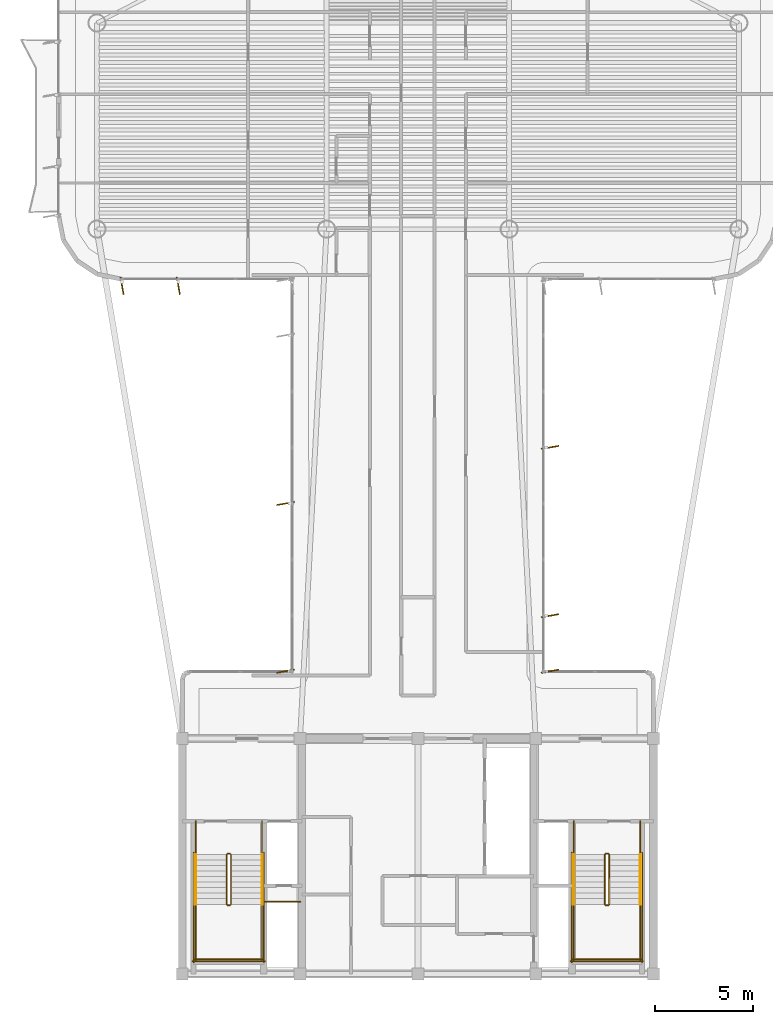
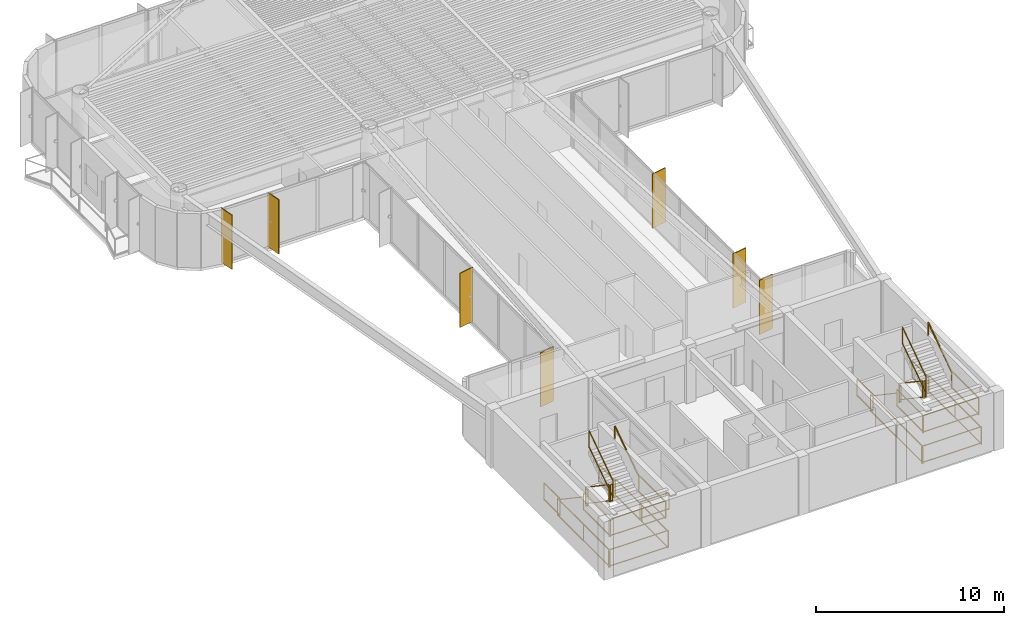
# One storey, part 14 of 15: 29 railings, 7 shading devices.
"""IFC4 building model written with IfcOpenShell, lengths in metres."""

from ifc_helpers import new_model, si_unit, direction, frame, origin, origin_2d, place, context, subcontext, project, spatial, rectangle, extrude, source, transform, mapped, material, layer, layer_set, material_profile, profile_set, type_object, element, save


model = new_model("IFC4")

# Units and contexts
model_context = context("Model", 3, precision=1e-05, world=origin(), true_north=direction((0.0, 1.0)))
body_context = subcontext(model_context, "Body", "Model", "MODEL_VIEW")
ifc_project = project(units=[si_unit("LENGTHUNIT", "METRE"), si_unit("AREAUNIT", "SQUARE_METRE"), si_unit("VOLUMEUNIT", "CUBIC_METRE"), si_unit("PLANEANGLEUNIT", "RADIAN"), si_unit("MASSUNIT", "GRAM", prefix="KILO")], contexts=[model_context])

# Site, building, storey
site_placement = place(None, origin())
site = spatial("IfcSite", under=ifc_project, at=site_placement, CompositionType="ELEMENT")
building_placement = place(site_placement, origin())
building = spatial("IfcBuilding", under=site, at=building_placement, Name="Brelvock Crest Care Tower", CompositionType="ELEMENT")
storey_placement = place(building_placement, frame((0.0, 0.0, 260.820068359375)))
storey = spatial("IfcBuildingStorey", under=building, at=storey_placement, Name="L66", CompositionType="ELEMENT", Elevation=260.820068359375)

# Railings
ifc_material_1 = material(Name="Steel Grade 350", Category="steel")
ifc_layer_1 = layer(ifc_material_1, 0.050048828125, Name="RL-STG1")
ifc_layer_set_1 = layer_set([ifc_layer_1], Name="Steel Grade 350")
railing_type_1 = type_object("IfcRailingType", Name="RL-STG1", PredefinedType="GUARDRAIL", material=ifc_layer_set_1)
railing_1_placement = place(storey_placement, frame((26.260009765625, 12.080078125, 0.18896484375)))
element("IfcRailing", 1, at=railing_1_placement, inside=storey, type_object=railing_type_1, Name="L66 ST-1 stair guard 1", PredefinedType="GUARDRAIL", context=body_context, shape_type="SweptSolid", body=[
    extrude(rectangle(XDim=0.048095703125, YDim=0.048095703125, at=origin_2d()), frame((0.0, -0.001708984375, 1.116943359375), z_axis=(0.0, -0.828861706735, 0.559453546873), x_axis=(1.0, 0.0, 0.0)), (0.0, 0.0, 1.0), 3.036376953125),
    extrude(rectangle(XDim=0.048095703125, YDim=0.048095703125, at=origin_2d()), frame((0.0, -0.001708984375, 0.05615234375), z_axis=(0.0, -0.828861706735, 0.559453546873), x_axis=(1.0, 0.0, 0.0)), (0.0, 0.0, 1.0), 3.036376953125),
    extrude(rectangle(XDim=0.0419921875, YDim=0.0419921875, at=origin_2d()), origin(), (0.0, 0.0, 1.0), 1.08984375),
    extrude(rectangle(XDim=0.0419921875, YDim=0.0419921875, at=origin_2d()), frame((0.0, -2.52001953125, 1.700927734375)), (0.0, 0.0, 1.0), 1.08984375),
])
railing_2_placement = place(storey_placement, frame((26.31005859375, 9.510009765625, 1.889892578125)))
element("IfcRailing", 2, at=railing_2_placement, inside=storey, type_object=railing_type_1, Name="L66 ST-1 stair guard 2", PredefinedType="GUARDRAIL", context=body_context, shape_type="SweptSolid", body=[
    extrude(rectangle(XDim=0.048095703125, YDim=0.048095703125, at=origin_2d()), frame((0.001953125, 0.0, 1.11572265625), z_axis=(1.0, 0.0, 0.0), x_axis=(0.0, 1.0, 0.0)), (0.0, 0.0, 1.0), 0.115966796875),
    extrude(rectangle(XDim=0.048095703125, YDim=0.048095703125, at=origin_2d()), frame((0.001953125, 0.0, 0.054931640625), z_axis=(1.0, 0.0, 0.0), x_axis=(0.0, 1.0, 0.0)), (0.0, 0.0, 1.0), 0.115966796875),
    extrude(rectangle(XDim=0.0419921875, YDim=0.0419921875, at=origin_2d()), origin(), (0.0, 0.0, 1.0), 1.08984375),
    extrude(rectangle(XDim=0.0419921875, YDim=0.0419921875, at=origin_2d()), frame((0.119873046875, 0.0, 0.0)), (0.0, 0.0, 1.0), 1.08984375),
])
for number, where, name in (
    (3, (24.679931640625, 9.56005859375, 1.889892578125), "L66 ST-1 stair guard 3"),
    (4, (28.06005859375, 9.56005859375, 1.889892578125), "L66 ST-1 stair guard 4"),
):
    element("IfcRailing", number, at=place(storey_placement, frame(where)), inside=storey, type_object=railing_type_1, Name=name, PredefinedType="GUARDRAIL", context=body_context, shape_type="SweptSolid", body=[
        extrude(rectangle(XDim=0.048095703125, YDim=0.048095703125, at=origin_2d()), frame((0.0, -0.001953125, 1.11572265625), z_axis=(0.0, -1.0, 0.0), x_axis=(1.0, 0.0, 0.0)), (0.0, 0.0, 1.0), 2.856201171875),
        extrude(rectangle(XDim=0.048095703125, YDim=0.048095703125, at=origin_2d()), frame((0.0, -0.001953125, 0.054931640625), z_axis=(0.0, -1.0, 0.0), x_axis=(1.0, 0.0, 0.0)), (0.0, 0.0, 1.0), 2.856201171875),
        extrude(rectangle(XDim=0.0419921875, YDim=0.0419921875, at=origin_2d()), origin(), (0.0, 0.0, 1.0), 1.08984375),
        extrude(rectangle(XDim=0.0419921875, YDim=0.0419921875, at=origin_2d()), frame((0.0, -2.860107421875, 0.0)), (0.0, 0.0, 1.0), 1.08984375),
    ])
railing_3_placement = place(storey_placement, frame((24.6298828125, 6.75, 1.889892578125)))
element("IfcRailing", 5, at=railing_3_placement, inside=storey, type_object=railing_type_1, Name="L66 ST-1 stair guard 5", PredefinedType="GUARDRAIL", context=body_context, shape_type="SweptSolid", body=[
    extrude(rectangle(XDim=0.048095703125, YDim=0.048095703125, at=origin_2d()), frame((0.001953125, 0.0, 1.11572265625), z_axis=(1.0, 0.0, 0.0), x_axis=(0.0, 1.0, 0.0)), (0.0, 0.0, 1.0), 3.476318359375),
    extrude(rectangle(XDim=0.048095703125, YDim=0.048095703125, at=origin_2d()), frame((0.001953125, 0.0, 0.054931640625), z_axis=(1.0, 0.0, 0.0), x_axis=(0.0, 1.0, 0.0)), (0.0, 0.0, 1.0), 3.476318359375),
    extrude(rectangle(XDim=0.0419921875, YDim=0.0419921875, at=origin_2d()), origin(), (0.0, 0.0, 1.0), 1.08984375),
    extrude(rectangle(XDim=0.0419921875, YDim=0.0419921875, at=origin_2d()), frame((3.480224609375, 0.0, 0.0)), (0.0, 0.0, 1.0), 1.08984375),
])
railing_4_placement = place(storey_placement, frame((26.47998046875, 9.56005859375, 2.078857421875)))
element("IfcRailing", 6, at=railing_4_placement, inside=storey, type_object=railing_type_1, Name="L66 ST-1 stair guard 6", PredefinedType="GUARDRAIL", context=body_context, shape_type="SweptSolid", body=[
    extrude(rectangle(XDim=0.048095703125, YDim=0.048095703125, at=origin_2d()), frame((0.0, 0.001708984375, 1.116943359375), z_axis=(0.0, 0.82882447046, 0.559508710537), x_axis=(-1.0, 0.0, 0.0)), (0.0, 0.0, 1.0), 3.036376953125),
    extrude(rectangle(XDim=0.048095703125, YDim=0.048095703125, at=origin_2d()), frame((0.0, 0.001708984375, 0.05615234375), z_axis=(0.0, 0.82882447046, 0.559508710537), x_axis=(-1.0, 0.0, 0.0)), (0.0, 0.0, 1.0), 3.036376953125),
    extrude(rectangle(XDim=0.0419921875, YDim=0.0419921875, at=origin_2d()), origin(), (0.0, 0.0, 1.0), 1.08984375),
    extrude(rectangle(XDim=0.0419921875, YDim=0.0419921875, at=origin_2d()), frame((0.0, 2.52001953125, 1.701171875)), (0.0, 0.0, 1.0), 1.08984375),
])
railing_5_placement = place(storey_placement, frame((26.31005859375, 12.1298828125, 0.0)))
element("IfcRailing", 7, at=railing_5_placement, inside=storey, type_object=railing_type_1, Name="L66 ST-1 stair guard 7", PredefinedType="GUARDRAIL", context=body_context, shape_type="SweptSolid", body=[
    extrude(rectangle(XDim=0.048095703125, YDim=0.048095703125, at=origin_2d()), frame((0.001953125, 0.0, 1.11572265625), z_axis=(1.0, 0.0, 0.0), x_axis=(0.0, 1.0, 0.0)), (0.0, 0.0, 1.0), 0.115966796875),
    extrude(rectangle(XDim=0.048095703125, YDim=0.048095703125, at=origin_2d()), frame((0.001953125, 0.0, 0.054931640625), z_axis=(1.0, 0.0, 0.0), x_axis=(0.0, 1.0, 0.0)), (0.0, 0.0, 1.0), 0.115966796875),
    extrude(rectangle(XDim=0.0419921875, YDim=0.0419921875, at=origin_2d()), origin(), (0.0, 0.0, 1.0), 1.08984375),
    extrude(rectangle(XDim=0.0419921875, YDim=0.0419921875, at=origin_2d()), frame((0.119873046875, 0.0, 0.0)), (0.0, 0.0, 1.0), 1.08984375),
])
for number, where, name in (
    (8, (24.679931640625, 13.780029296875, 0.0), "L66 ST-1 stair guard 8"),
    (9, (28.06005859375, 13.780029296875, 0.0), "L66 ST-1 stair guard 9"),
):
    element("IfcRailing", number, at=place(storey_placement, frame(where)), inside=storey, type_object=railing_type_1, Name=name, PredefinedType="GUARDRAIL", context=body_context, shape_type="SweptSolid", body=[
        extrude(rectangle(XDim=0.048095703125, YDim=0.048095703125, at=origin_2d()), frame((0.0, -0.001953125, 1.11572265625), z_axis=(0.0, -1.0, 0.0), x_axis=(1.0, 0.0, 0.0)), (0.0, 0.0, 1.0), 1.696044921875),
        extrude(rectangle(XDim=0.048095703125, YDim=0.048095703125, at=origin_2d()), frame((0.0, -0.001953125, 0.054931640625), z_axis=(0.0, -1.0, 0.0), x_axis=(1.0, 0.0, 0.0)), (0.0, 0.0, 1.0), 1.696044921875),
        extrude(rectangle(XDim=0.0419921875, YDim=0.0419921875, at=origin_2d()), origin(), (0.0, 0.0, 1.0), 1.08984375),
        extrude(rectangle(XDim=0.0419921875, YDim=0.0419921875, at=origin_2d()), frame((0.0, -1.699951171875, 0.0)), (0.0, 0.0, 1.0), 1.08984375),
    ])
for number, where, name in (
    (10, (24.580078125, 12.179931640625, 0.0), "L66 ST-1 stair guard 10"),
    (11, (28.159912109375, 12.179931640625, 0.0), "L66 ST-1 stair guard 11"),
):
    element("IfcRailing", number, at=place(storey_placement, frame(where)), inside=storey, type_object=railing_type_1, Name=name, PredefinedType="GUARDRAIL", context=body_context, shape_type="SweptSolid", body=[
        extrude(rectangle(XDim=0.048095703125, YDim=0.048095703125, at=origin_2d()), frame((0.0, -0.001953125, 1.11572265625), z_axis=(0.0, -1.0, 0.0), x_axis=(1.0, 0.0, 0.0)), (0.0, 0.0, 1.0), 5.575927734375),
        extrude(rectangle(XDim=0.048095703125, YDim=0.048095703125, at=origin_2d()), frame((0.0, -0.001953125, 0.054931640625), z_axis=(0.0, -1.0, 0.0), x_axis=(1.0, 0.0, 0.0)), (0.0, 0.0, 1.0), 5.575927734375),
        extrude(rectangle(XDim=0.0419921875, YDim=0.0419921875, at=origin_2d()), origin(), (0.0, 0.0, 1.0), 1.08984375),
        extrude(rectangle(XDim=0.0419921875, YDim=0.0419921875, at=origin_2d()), frame((0.0, -2.7900390625, 0.0)), (0.0, 0.0, 1.0), 1.08984375),
        extrude(rectangle(XDim=0.0419921875, YDim=0.0419921875, at=origin_2d()), frame((0.0, -5.579833984375, 0.0)), (0.0, 0.0, 1.0), 1.08984375),
    ])
railing_6_placement = place(storey_placement, frame((24.530029296875, 6.64990234375, 0.0)))
element("IfcRailing", 12, at=railing_6_placement, inside=storey, type_object=railing_type_1, Name="L66 ST-1 stair guard 12", PredefinedType="GUARDRAIL", context=body_context, shape_type="SweptSolid", body=[
    extrude(rectangle(XDim=0.048095703125, YDim=0.048095703125, at=origin_2d()), frame((0.001953125, 0.0, 1.11572265625), z_axis=(1.0, 0.0, 0.0), x_axis=(0.0, 1.0, 0.0)), (0.0, 0.0, 1.0), 3.676025390625),
    extrude(rectangle(XDim=0.048095703125, YDim=0.048095703125, at=origin_2d()), frame((0.001953125, 0.0, 0.054931640625), z_axis=(1.0, 0.0, 0.0), x_axis=(0.0, 1.0, 0.0)), (0.0, 0.0, 1.0), 3.676025390625),
    extrude(rectangle(XDim=0.0419921875, YDim=0.0419921875, at=origin_2d()), origin(), (0.0, 0.0, 1.0), 1.08984375),
    extrude(rectangle(XDim=0.0419921875, YDim=0.0419921875, at=origin_2d()), frame((3.679931640625, 0.0, 0.0)), (0.0, 0.0, 1.0), 1.08984375),
])
railing_7_placement = place(storey_placement, frame((45.52001953125, 12.080078125, 0.18896484375)))
element("IfcRailing", 13, at=railing_7_placement, inside=storey, type_object=railing_type_1, Name="L66 ST-2 stair guard 1", PredefinedType="GUARDRAIL", context=body_context, shape_type="SweptSolid", body=[
    extrude(rectangle(XDim=0.048095703125, YDim=0.048095703125, at=origin_2d()), frame((0.0, -0.001708984375, 1.116943359375), z_axis=(0.0, -0.828861706735, 0.559453546873), x_axis=(1.0, 0.0, 0.0)), (0.0, 0.0, 1.0), 3.036376953125),
    extrude(rectangle(XDim=0.048095703125, YDim=0.048095703125, at=origin_2d()), frame((0.0, -0.001708984375, 0.05615234375), z_axis=(0.0, -0.828861706735, 0.559453546873), x_axis=(1.0, 0.0, 0.0)), (0.0, 0.0, 1.0), 3.036376953125),
    extrude(rectangle(XDim=0.0419921875, YDim=0.0419921875, at=origin_2d()), origin(), (0.0, 0.0, 1.0), 1.08984375),
    extrude(rectangle(XDim=0.0419921875, YDim=0.0419921875, at=origin_2d()), frame((0.0, -2.52001953125, 1.700927734375)), (0.0, 0.0, 1.0), 1.08984375),
])
railing_8_placement = place(storey_placement, frame((45.570068359375, 9.510009765625, 1.889892578125)))
element("IfcRailing", 14, at=railing_8_placement, inside=storey, type_object=railing_type_1, Name="L66 ST-2 stair guard 2", PredefinedType="GUARDRAIL", context=body_context, shape_type="SweptSolid", body=[
    extrude(rectangle(XDim=0.048095703125, YDim=0.048095703125, at=origin_2d()), frame((0.001953125, 0.0, 1.11572265625), z_axis=(1.0, 0.0, 0.0), x_axis=(0.0, 1.0, 0.0)), (0.0, 0.0, 1.0), 0.115966796875),
    extrude(rectangle(XDim=0.048095703125, YDim=0.048095703125, at=origin_2d()), frame((0.001953125, 0.0, 0.054931640625), z_axis=(1.0, 0.0, 0.0), x_axis=(0.0, 1.0, 0.0)), (0.0, 0.0, 1.0), 0.115966796875),
    extrude(rectangle(XDim=0.0419921875, YDim=0.0419921875, at=origin_2d()), origin(), (0.0, 0.0, 1.0), 1.08984375),
    extrude(rectangle(XDim=0.0419921875, YDim=0.0419921875, at=origin_2d()), frame((0.119873046875, 0.0, 0.0)), (0.0, 0.0, 1.0), 1.08984375),
])
for number, where, name in (
    (15, (43.93994140625, 9.56005859375, 1.889892578125), "L66 ST-2 stair guard 3"),
    (16, (47.320068359375, 9.56005859375, 1.889892578125), "L66 ST-2 stair guard 4"),
):
    element("IfcRailing", number, at=place(storey_placement, frame(where)), inside=storey, type_object=railing_type_1, Name=name, PredefinedType="GUARDRAIL", context=body_context, shape_type="SweptSolid", body=[
        extrude(rectangle(XDim=0.048095703125, YDim=0.048095703125, at=origin_2d()), frame((0.0, -0.001953125, 1.11572265625), z_axis=(0.0, -1.0, 0.0), x_axis=(1.0, 0.0, 0.0)), (0.0, 0.0, 1.0), 2.856201171875),
        extrude(rectangle(XDim=0.048095703125, YDim=0.048095703125, at=origin_2d()), frame((0.0, -0.001953125, 0.054931640625), z_axis=(0.0, -1.0, 0.0), x_axis=(1.0, 0.0, 0.0)), (0.0, 0.0, 1.0), 2.856201171875),
        extrude(rectangle(XDim=0.0419921875, YDim=0.0419921875, at=origin_2d()), origin(), (0.0, 0.0, 1.0), 1.08984375),
        extrude(rectangle(XDim=0.0419921875, YDim=0.0419921875, at=origin_2d()), frame((0.0, -2.860107421875, 0.0)), (0.0, 0.0, 1.0), 1.08984375),
    ])
railing_9_placement = place(storey_placement, frame((43.889892578125, 6.75, 1.889892578125)))
element("IfcRailing", 17, at=railing_9_placement, inside=storey, type_object=railing_type_1, Name="L66 ST-2 stair guard 5", PredefinedType="GUARDRAIL", context=body_context, shape_type="SweptSolid", body=[
    extrude(rectangle(XDim=0.048095703125, YDim=0.048095703125, at=origin_2d()), frame((0.001953125, 0.0, 1.11572265625), z_axis=(1.0, 0.0, 0.0), x_axis=(0.0, 1.0, 0.0)), (0.0, 0.0, 1.0), 3.476318359375),
    extrude(rectangle(XDim=0.048095703125, YDim=0.048095703125, at=origin_2d()), frame((0.001953125, 0.0, 0.054931640625), z_axis=(1.0, 0.0, 0.0), x_axis=(0.0, 1.0, 0.0)), (0.0, 0.0, 1.0), 3.476318359375),
    extrude(rectangle(XDim=0.0419921875, YDim=0.0419921875, at=origin_2d()), origin(), (0.0, 0.0, 1.0), 1.08984375),
    extrude(rectangle(XDim=0.0419921875, YDim=0.0419921875, at=origin_2d()), frame((3.480224609375, 0.0, 0.0)), (0.0, 0.0, 1.0), 1.08984375),
])
railing_10_placement = place(storey_placement, frame((45.739990234375, 9.56005859375, 2.078857421875)))
element("IfcRailing", 18, at=railing_10_placement, inside=storey, type_object=railing_type_1, Name="L66 ST-2 stair guard 6", PredefinedType="GUARDRAIL", context=body_context, shape_type="SweptSolid", body=[
    extrude(rectangle(XDim=0.048095703125, YDim=0.048095703125, at=origin_2d()), frame((0.0, 0.001708984375, 1.116943359375), z_axis=(0.0, 0.82882447046, 0.559508710537), x_axis=(-1.0, 0.0, 0.0)), (0.0, 0.0, 1.0), 3.036376953125),
    extrude(rectangle(XDim=0.048095703125, YDim=0.048095703125, at=origin_2d()), frame((0.0, 0.001708984375, 0.05615234375), z_axis=(0.0, 0.82882447046, 0.559508710537), x_axis=(-1.0, 0.0, 0.0)), (0.0, 0.0, 1.0), 3.036376953125),
    extrude(rectangle(XDim=0.0419921875, YDim=0.0419921875, at=origin_2d()), origin(), (0.0, 0.0, 1.0), 1.08984375),
    extrude(rectangle(XDim=0.0419921875, YDim=0.0419921875, at=origin_2d()), frame((0.0, 2.52001953125, 1.701171875)), (0.0, 0.0, 1.0), 1.08984375),
])
railing_11_placement = place(storey_placement, frame((45.570068359375, 12.1298828125, 0.0)))
element("IfcRailing", 19, at=railing_11_placement, inside=storey, type_object=railing_type_1, Name="L66 ST-2 stair guard 7", PredefinedType="GUARDRAIL", context=body_context, shape_type="SweptSolid", body=[
    extrude(rectangle(XDim=0.048095703125, YDim=0.048095703125, at=origin_2d()), frame((0.001953125, 0.0, 1.11572265625), z_axis=(1.0, 0.0, 0.0), x_axis=(0.0, 1.0, 0.0)), (0.0, 0.0, 1.0), 0.115966796875),
    extrude(rectangle(XDim=0.048095703125, YDim=0.048095703125, at=origin_2d()), frame((0.001953125, 0.0, 0.054931640625), z_axis=(1.0, 0.0, 0.0), x_axis=(0.0, 1.0, 0.0)), (0.0, 0.0, 1.0), 0.115966796875),
    extrude(rectangle(XDim=0.0419921875, YDim=0.0419921875, at=origin_2d()), origin(), (0.0, 0.0, 1.0), 1.08984375),
    extrude(rectangle(XDim=0.0419921875, YDim=0.0419921875, at=origin_2d()), frame((0.119873046875, 0.0, 0.0)), (0.0, 0.0, 1.0), 1.08984375),
])
for number, where, name in (
    (20, (43.93994140625, 13.780029296875, 0.0), "L66 ST-2 stair guard 8"),
    (21, (47.320068359375, 13.780029296875, 0.0), "L66 ST-2 stair guard 9"),
):
    element("IfcRailing", number, at=place(storey_placement, frame(where)), inside=storey, type_object=railing_type_1, Name=name, PredefinedType="GUARDRAIL", context=body_context, shape_type="SweptSolid", body=[
        extrude(rectangle(XDim=0.048095703125, YDim=0.048095703125, at=origin_2d()), frame((0.0, -0.001953125, 1.11572265625), z_axis=(0.0, -1.0, 0.0), x_axis=(1.0, 0.0, 0.0)), (0.0, 0.0, 1.0), 1.696044921875),
        extrude(rectangle(XDim=0.048095703125, YDim=0.048095703125, at=origin_2d()), frame((0.0, -0.001953125, 0.054931640625), z_axis=(0.0, -1.0, 0.0), x_axis=(1.0, 0.0, 0.0)), (0.0, 0.0, 1.0), 1.696044921875),
        extrude(rectangle(XDim=0.0419921875, YDim=0.0419921875, at=origin_2d()), origin(), (0.0, 0.0, 1.0), 1.08984375),
        extrude(rectangle(XDim=0.0419921875, YDim=0.0419921875, at=origin_2d()), frame((0.0, -1.699951171875, 0.0)), (0.0, 0.0, 1.0), 1.08984375),
    ])
for number, where, name in (
    (22, (43.840087890625, 12.179931640625, 0.0), "L66 ST-2 stair guard 10"),
    (23, (47.419921875, 12.179931640625, 0.0), "L66 ST-2 stair guard 11"),
):
    element("IfcRailing", number, at=place(storey_placement, frame(where)), inside=storey, type_object=railing_type_1, Name=name, PredefinedType="GUARDRAIL", context=body_context, shape_type="SweptSolid", body=[
        extrude(rectangle(XDim=0.048095703125, YDim=0.048095703125, at=origin_2d()), frame((0.0, -0.001953125, 1.11572265625), z_axis=(0.0, -1.0, 0.0), x_axis=(1.0, 0.0, 0.0)), (0.0, 0.0, 1.0), 5.575927734375),
        extrude(rectangle(XDim=0.048095703125, YDim=0.048095703125, at=origin_2d()), frame((0.0, -0.001953125, 0.054931640625), z_axis=(0.0, -1.0, 0.0), x_axis=(1.0, 0.0, 0.0)), (0.0, 0.0, 1.0), 5.575927734375),
        extrude(rectangle(XDim=0.0419921875, YDim=0.0419921875, at=origin_2d()), origin(), (0.0, 0.0, 1.0), 1.08984375),
        extrude(rectangle(XDim=0.0419921875, YDim=0.0419921875, at=origin_2d()), frame((0.0, -2.7900390625, 0.0)), (0.0, 0.0, 1.0), 1.08984375),
        extrude(rectangle(XDim=0.0419921875, YDim=0.0419921875, at=origin_2d()), frame((0.0, -5.579833984375, 0.0)), (0.0, 0.0, 1.0), 1.08984375),
    ])
railing_12_placement = place(storey_placement, frame((43.7900390625, 6.64990234375, 0.0)))
element("IfcRailing", 24, at=railing_12_placement, inside=storey, type_object=railing_type_1, Name="L66 ST-2 stair guard 12", PredefinedType="GUARDRAIL", context=body_context, shape_type="SweptSolid", body=[
    extrude(rectangle(XDim=0.048095703125, YDim=0.048095703125, at=origin_2d()), frame((0.001953125, 0.0, 1.11572265625), z_axis=(1.0, 0.0, 0.0), x_axis=(0.0, 1.0, 0.0)), (0.0, 0.0, 1.0), 3.676025390625),
    extrude(rectangle(XDim=0.048095703125, YDim=0.048095703125, at=origin_2d()), frame((0.001953125, 0.0, 0.054931640625), z_axis=(1.0, 0.0, 0.0), x_axis=(0.0, 1.0, 0.0)), (0.0, 0.0, 1.0), 3.676025390625),
    extrude(rectangle(XDim=0.0419921875, YDim=0.0419921875, at=origin_2d()), origin(), (0.0, 0.0, 1.0), 1.08984375),
    extrude(rectangle(XDim=0.0419921875, YDim=0.0419921875, at=origin_2d()), frame((3.679931640625, 0.0, 0.0)), (0.0, 0.0, 1.0), 1.08984375),
])
railing_13_placement = place(storey_placement, frame((28.219970703125, 9.679931640625, 0.0)))
element("IfcRailing", 25, at=railing_13_placement, inside=storey, type_object=railing_type_1, Name="L66 Fire Riser Threshold Guard", PredefinedType="GUARDRAIL", context=body_context, shape_type="SweptSolid", body=[
    extrude(rectangle(XDim=0.048095703125, YDim=0.048095703125, at=origin_2d()), frame((0.001953125, 0.0, 1.11572265625), z_axis=(1.0, 0.0, 0.0), x_axis=(0.0, 1.0, 0.0)), (0.0, 0.0, 1.0), 1.776123046875),
    extrude(rectangle(XDim=0.048095703125, YDim=0.048095703125, at=origin_2d()), frame((0.001953125, 0.0, 0.054931640625), z_axis=(1.0, 0.0, 0.0), x_axis=(0.0, 1.0, 0.0)), (0.0, 0.0, 1.0), 1.776123046875),
    extrude(rectangle(XDim=0.0419921875, YDim=0.0419921875, at=origin_2d()), origin(), (0.0, 0.0, 1.0), 1.08984375),
    extrude(rectangle(XDim=0.0419921875, YDim=0.0419921875, at=origin_2d()), frame((1.780029296875, 0.0, 0.0)), (0.0, 0.0, 1.0), 1.08984375),
])
ifc_layer_2 = layer(ifc_material_1, 0.048095703125, Name="RL-STH1")
ifc_layer_set_2 = layer_set([ifc_layer_2], Name="Steel Grade 350")
railing_type_2 = type_object("IfcRailingType", Name="RL-STH1", PredefinedType="HANDRAIL", material=ifc_layer_set_2)
railing_14_placement = place(storey_placement, frame((24.679931640625, 12.080078125, 0.18896484375)))
element("IfcRailing", 26, at=railing_14_placement, inside=storey, type_object=railing_type_2, Name="L66 ST-1 stair handrail 1", PredefinedType="HANDRAIL", context=body_context, shape_type="SweptSolid", body=[
    extrude(rectangle(XDim=0.048095703125, YDim=0.048095703125, at=origin_2d()), frame((0.0, -0.001708984375, 0.876953125), z_axis=(0.0, -0.828861706735, 0.559453546873), x_axis=(1.0, 0.0, 0.0)), (0.0, 0.0, 1.0), 3.036376953125),
    extrude(rectangle(XDim=0.0419921875, YDim=0.0419921875, at=origin_2d()), origin(), (0.0, 0.0, 1.0), 0.849853515625),
    extrude(rectangle(XDim=0.0419921875, YDim=0.0419921875, at=origin_2d()), frame((0.0, -2.52001953125, 1.700927734375)), (0.0, 0.0, 1.0), 0.849853515625),
])
railing_15_placement = place(storey_placement, frame((28.06005859375, 9.56005859375, 2.078857421875)))
element("IfcRailing", 27, at=railing_15_placement, inside=storey, type_object=railing_type_2, Name="L66 ST-1 stair handrail 2", PredefinedType="HANDRAIL", context=body_context, shape_type="SweptSolid", body=[
    extrude(rectangle(XDim=0.048095703125, YDim=0.048095703125, at=origin_2d()), frame((0.0, 0.001708984375, 0.876953125), z_axis=(0.0, 0.82882447046, 0.559508710537), x_axis=(-1.0, 0.0, 0.0)), (0.0, 0.0, 1.0), 3.036376953125),
    extrude(rectangle(XDim=0.0419921875, YDim=0.0419921875, at=origin_2d()), origin(), (0.0, 0.0, 1.0), 0.849853515625),
    extrude(rectangle(XDim=0.0419921875, YDim=0.0419921875, at=origin_2d()), frame((0.0, 2.52001953125, 1.701171875)), (0.0, 0.0, 1.0), 0.849853515625),
])
railing_16_placement = place(storey_placement, frame((43.93994140625, 12.080078125, 0.18896484375)))
element("IfcRailing", 28, at=railing_16_placement, inside=storey, type_object=railing_type_2, Name="L66 ST-2 stair handrail 1", PredefinedType="HANDRAIL", context=body_context, shape_type="SweptSolid", body=[
    extrude(rectangle(XDim=0.048095703125, YDim=0.048095703125, at=origin_2d()), frame((0.0, -0.001708984375, 0.876953125), z_axis=(0.0, -0.828861706735, 0.559453546873), x_axis=(1.0, 0.0, 0.0)), (0.0, 0.0, 1.0), 3.036376953125),
    extrude(rectangle(XDim=0.0419921875, YDim=0.0419921875, at=origin_2d()), origin(), (0.0, 0.0, 1.0), 0.849853515625),
    extrude(rectangle(XDim=0.0419921875, YDim=0.0419921875, at=origin_2d()), frame((0.0, -2.52001953125, 1.700927734375)), (0.0, 0.0, 1.0), 0.849853515625),
])
railing_17_placement = place(storey_placement, frame((47.320068359375, 9.56005859375, 2.078857421875)))
element("IfcRailing", 29, at=railing_17_placement, inside=storey, type_object=railing_type_2, Name="L66 ST-2 stair handrail 2", PredefinedType="HANDRAIL", context=body_context, shape_type="SweptSolid", body=[
    extrude(rectangle(XDim=0.048095703125, YDim=0.048095703125, at=origin_2d()), frame((0.0, 0.001708984375, 0.876953125), z_axis=(0.0, 0.82882447046, 0.559508710537), x_axis=(-1.0, 0.0, 0.0)), (0.0, 0.0, 1.0), 3.036376953125),
    extrude(rectangle(XDim=0.0419921875, YDim=0.0419921875, at=origin_2d()), origin(), (0.0, 0.0, 1.0), 0.849853515625),
    extrude(rectangle(XDim=0.0419921875, YDim=0.0419921875, at=origin_2d()), frame((0.0, 2.52001953125, 1.701171875)), (0.0, 0.0, 1.0), 0.849853515625),
])

# Shading devices
ifc_material_2 = material(Name="Aluminium 6063-T6", Category="aluminium")
ifc_material_profile = material_profile(ifc_material_2, rectangle(XDim=0.054931640625, YDim=0.89990234375, at=origin_2d()), Name="FIN55x900")
ifc_profile_set = profile_set([ifc_material_profile], Name="Aluminium 6063-T6")
shading_device_type = type_object("IfcShadingDeviceType", Name="SHD-FIN1", PredefinedType="USERDEFINED", material=ifc_profile_set)
shared_shape = source(origin(), body_context, "Body", "SweptSolid", [
    extrude(rectangle(XDim=0.054931640625, YDim=0.89990234375, at=origin_2d()), origin(), (0.0, 0.0, 1.0), 3.530029296875),
])
for number, where, z_axis, x_axis, name in (
    (30, (29.260009765625, 21.429931640625, 0.0), (0.0, 0.0, 1.0), (-0.173648177667, 0.984807753012, 0.0), "L66 Vertical Sunshade Fin E11-01"),
    (31, (29.260009765625, 29.971435546875, 0.0), (0.0, 0.0, 1.0), (-0.173648177667, 0.984807753012, 0.0), "L66 Vertical Sunshade Fin E11-04"),
    (32, (23.800048828125, 41.06005859375, 0.0), (0.0, 0.0, 1.0), (-0.984807753012, -0.173648177667, 0.0), "L66 Vertical Sunshade Fin E12-03"),
    (33, (20.929931640625, 41.06005859375, 0.0), (0.0, 0.0, 1.0), (-0.984807753012, -0.173648177667, 0.0), "L66 Vertical Sunshade Fin E12-04"),
    (34, (42.739990234375, 32.82861328125, 0.0), (0.0, 0.0, 1.0), (0.173648177667, -0.984807753012, 0.0), "L66 Vertical Sunshade Fin E45-04"),
    (35, (42.739990234375, 24.257080078125, 0.0), (0.0, 0.0, 1.0), (0.173648177667, -0.984807753012, 0.0), "L66 Vertical Sunshade Fin E45-07"),
    (36, (42.739990234375, 21.429931640625, 0.0), (0.0, 0.0, 1.0), (0.173648177667, -0.984807753012, 0.0), "L66 Vertical Sunshade Fin E45-08"),
):
    element("IfcShadingDevice", number, at=place(storey_placement, frame(where, z_axis=z_axis, x_axis=x_axis)), inside=storey, type_object=shading_device_type, Name=name, ObjectType="FIN", PredefinedType="USERDEFINED", context=body_context, shape_type="MappedRepresentation", body=[
        mapped(shared_shape, transform((0.0, 0.0, 0.0), x_axis=(1.0, 0.0, 0.0), y_axis=(0.0, 1.0, 0.0), z_axis=(0.0, 0.0, 1.0), scale=1.0)),
    ])

save(model, "model.ifc")
